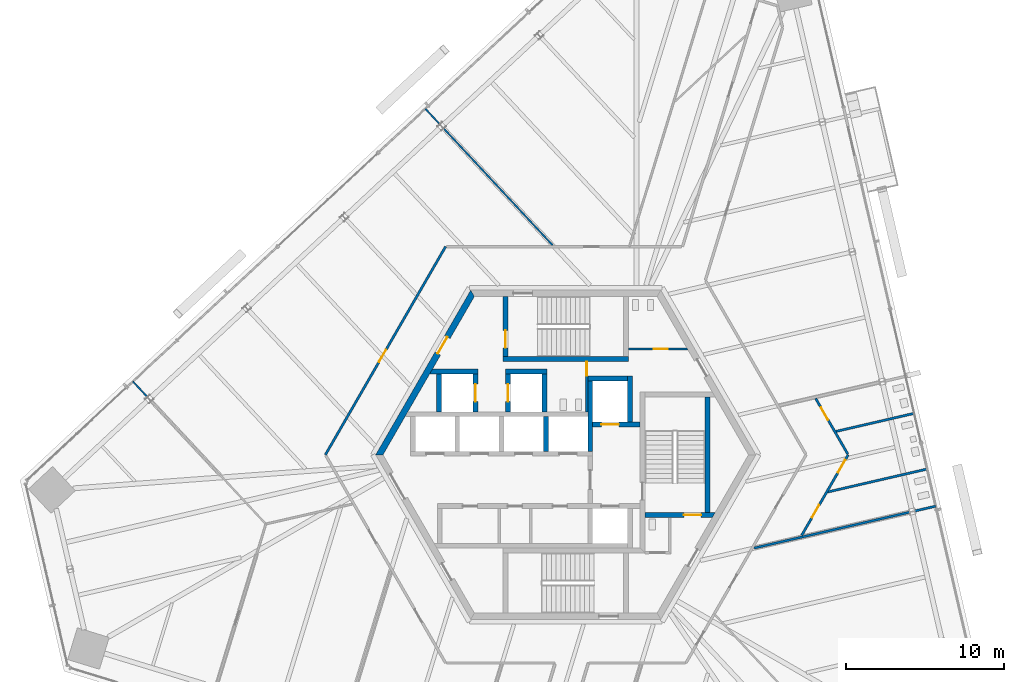
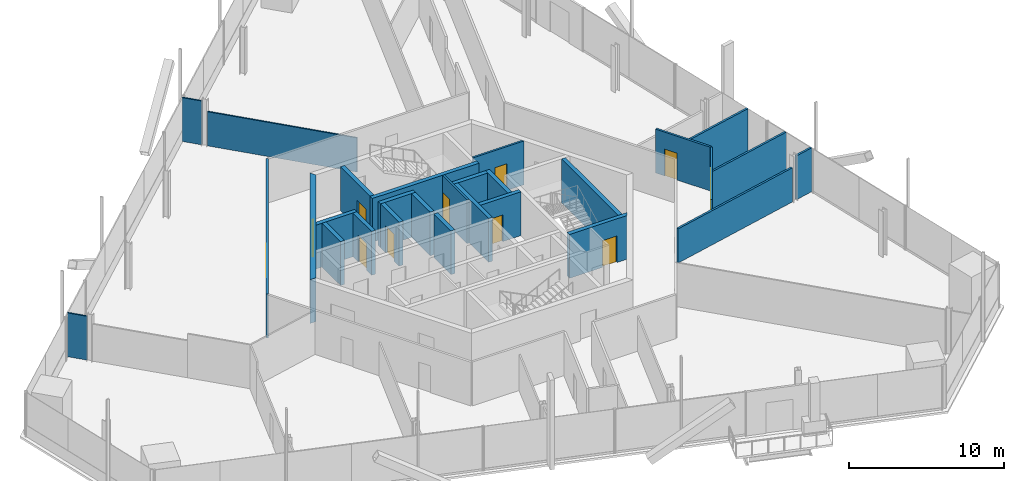
# One storey, part 13 of 21: 28 walls, 12 doors, 12 openings.
"""IFC4 building model written with IfcOpenShell, lengths in metres."""

from ifc_helpers import new_model, si_unit, direction, frame, frame_2d, origin, place, context, subcontext, project, spatial, polyline, rectangle, outline, extrude, source, transform, mapped, material, layer, layer_set, type_object, element, fill, save


model = new_model("IFC4")

# Units and contexts
model_context = context("Model", 3, precision=1e-05, world=origin(), true_north=direction((0.0, 1.0)))
body_context = subcontext(model_context, "Body", "Model", "MODEL_VIEW")
ifc_project = project(units=[si_unit("LENGTHUNIT", "METRE"), si_unit("AREAUNIT", "SQUARE_METRE"), si_unit("VOLUMEUNIT", "CUBIC_METRE"), si_unit("PLANEANGLEUNIT", "RADIAN"), si_unit("MASSUNIT", "GRAM", prefix="KILO")], contexts=[model_context])

# Site, building, storey
site_placement = place(None, origin())
site = spatial("IfcSite", under=ifc_project, at=site_placement, CompositionType="ELEMENT")
building_placement = place(site_placement, origin())
building = spatial("IfcBuilding", under=site, at=building_placement, Name="Triune Harvest Tower", CompositionType="ELEMENT")
storey_placement = place(building_placement, frame((0.0, 0.0, 119.89990234375)))
storey = spatial("IfcBuildingStorey", under=building, at=storey_placement, Name="L30", CompositionType="ELEMENT", Elevation=119.89990234375)

# Wall, opening, door
ifc_material_1 = material(Name="Gypsum board on steel studs", Category="steel")
ifc_layer_1 = layer(ifc_material_1, 0.14990234375)
ifc_layer_set_1 = layer_set([ifc_layer_1], Name="Gypsum board on steel studs")
wall_type_1 = type_object("IfcWallType", Name="Fire Partition 150 mm", PredefinedType="PARTITIONING", material=ifc_layer_set_1)
wall_1_placement = place(storey_placement, frame((15.77392578125, 3.563232421875, 0.0), z_axis=(0.0, 0.0, 1.0), x_axis=(0.499989360119, -0.866031546636, 0.0)))
wall_1 = element("IfcWall", 1, at=wall_1_placement, inside=storey, type_object=wall_type_1, Name="Partition L30 004", PredefinedType="PARTITIONING", context=body_context, shape_type="SweptSolid", body=[
    extrude(rectangle(XDim=4.064453125, YDim=0.14990234375, at=frame_2d((2.0322265625, 0.0))), origin(), (0.0, 0.0, 1.0), 3.440185546875),
])
opening_1_placement = place(wall_1_placement, frame((0.6796875, 0.0, 0.0)))
opening_1 = element("IfcOpeningElement", 2, at=opening_1_placement, cuts=wall_1, Name="Opening L30-005", PredefinedType="OPENING", context=body_context, shape_type="SweptSolid", body=[
    extrude(rectangle(XDim=0.89990234375, YDim=2.10009765625, at=frame_2d((0.449951171875, 1.050048828125))), frame((0.0, 0.0849609375, 0.0), z_axis=(0.0, -1.0, 0.0), x_axis=(1.0, 0.0, 0.0)), (0.0, 0.0, 1.0), 0.169921875),
])
ifc_material_2 = material(Name="Timber and steel door set", Category="steel")
door_type_1 = type_object("IfcDoorType", Name="Single leaf door FD30 left hand 900 x 2100", OperationType="SINGLE_SWING_LEFT", PredefinedType="DOOR", material=ifc_material_2)
door_1_placement = place(opening_1_placement, origin())
door_1 = element("IfcDoor", 3, at=door_1_placement, inside=storey, type_object=door_type_1, Name="Door L30-005 Accessible WC 30.05", OperationType="SINGLE_SWING_LEFT", OverallHeight=2.10009765625, OverallWidth=0.89990234375, PredefinedType="DOOR", context=body_context, shape_type="SweptSolid", body=[
    extrude(rectangle(XDim=0.89990234375, YDim=2.10009765625, at=frame_2d((0.449951171875, 1.050048828125))), frame((0.0, 0.02490234375, 0.0), z_axis=(0.0, -1.0, 0.0), x_axis=(1.0, 0.0, 0.0)), (0.0, 0.0, 1.0), 0.050048828125),
])
fill(opening_1, door_1)

# Walls
wall_2_placement = place(storey_placement, frame((22.048828125, -3.54541015625, 0.0), z_axis=(0.0, 0.0, 1.0), x_axis=(0.974363511026, 0.224979439906, 0.0)))
element("IfcWall", 4, at=wall_2_placement, inside=storey, type_object=wall_type_1, Name="Partition L30 017", PredefinedType="PARTITIONING", context=body_context, shape_type="SweptSolid", body=[
    extrude(rectangle(XDim=1.338134765625, YDim=0.14990234375, at=frame_2d((0.6689453125, 0.0))), origin(), (0.0, 0.0, 1.0), 3.440185546875),
])
wall_3_placement = place(storey_placement, frame((16.465576171875, -2.365234375, 0.0), z_axis=(0.0, 0.0, 1.0), x_axis=(0.974376029981, 0.224925214677, 0.0)))
element("IfcWall", 5, at=wall_3_placement, inside=storey, type_object=wall_type_1, Name="Partition L30 018", PredefinedType="PARTITIONING", context=body_context, shape_type="SweptSolid", body=[
    extrude(rectangle(XDim=6.5126953125, YDim=0.14990234375, at=frame_2d((3.25634765625, 0.0))), origin(), (0.0, 0.0, 1.0), 3.440185546875),
])
wall_4_placement = place(storey_placement, frame((16.98876953125, 1.458984375, 0.0), z_axis=(0.0, 0.0, 1.0), x_axis=(0.974363183616, 0.224980857881, 0.0)))
element("IfcWall", 6, at=wall_4_placement, inside=storey, type_object=wall_type_1, Name="Partition L30 019", PredefinedType="PARTITIONING", context=body_context, shape_type="SweptSolid", body=[
    extrude(rectangle(XDim=5.142578125, YDim=0.14990234375, at=frame_2d((2.5712890625, 0.0))), origin(), (0.0, 0.0, 1.0), 3.440185546875),
])

# Wall, openings, doors
wall_5_placement = place(storey_placement, frame((14.890869140625, -5.093017578125, 0.0), z_axis=(0.0, 0.0, 1.0), x_axis=(0.499996762963, 0.866027272681, 0.0)))
wall_5 = element("IfcWall", 7, at=wall_5_placement, inside=storey, type_object=wall_type_1, Name="Partition L30 024", PredefinedType="PARTITIONING", context=body_context, shape_type="SweptSolid", body=[
    extrude(rectangle(XDim=5.880859375, YDim=0.14990234375, at=frame_2d((2.9404296875, 0.0))), origin(), (0.0, 0.0, 1.0), 3.440185546875),
])
opening_2_placement = place(wall_5_placement, frame((1.31005859375, 0.0, 0.0)))
opening_2 = element("IfcOpeningElement", 8, at=opening_2_placement, cuts=wall_5, Name="Opening L30-003", PredefinedType="OPENING", context=body_context, shape_type="SweptSolid", body=[
    extrude(rectangle(XDim=0.89990234375, YDim=2.10009765625, at=frame_2d((0.449951171875, 1.050048828125))), frame((0.0, 0.0849609375, 0.0), z_axis=(0.0, -1.0, 0.0), x_axis=(1.0, 0.0, 0.0)), (0.0, 0.0, 1.0), 0.169921875),
])
opening_3_placement = place(wall_5_placement, frame((4.599609375, 0.0, 0.0)))
opening_3 = element("IfcOpeningElement", 9, at=opening_3_placement, cuts=wall_5, Name="Opening L30-004", PredefinedType="OPENING", context=body_context, shape_type="SweptSolid", body=[
    extrude(rectangle(XDim=0.89990234375, YDim=2.10009765625, at=frame_2d((0.449951171875, 1.050048828125))), frame((0.0, 0.0849609375, 0.0), z_axis=(0.0, -1.0, 0.0), x_axis=(1.0, 0.0, 0.0)), (0.0, 0.0, 1.0), 0.169921875),
])
door_2_placement = place(opening_3_placement, origin())
door_2 = element("IfcDoor", 10, at=door_2_placement, inside=storey, type_object=door_type_1, Name="Door L30-004 Men's WC 30.04", OperationType="SINGLE_SWING_LEFT", OverallHeight=2.10009765625, OverallWidth=0.89990234375, PredefinedType="DOOR", context=body_context, shape_type="SweptSolid", body=[
    extrude(rectangle(XDim=0.89990234375, YDim=2.10009765625, at=frame_2d((0.449951171875, 1.050048828125))), frame((0.0, 0.02490234375, 0.0), z_axis=(0.0, -1.0, 0.0), x_axis=(1.0, 0.0, 0.0)), (0.0, 0.0, 1.0), 0.050048828125),
])
fill(opening_3, door_2)
ifc_material_3 = material(Name="Timber and steel door set", Category="steel")
door_type_2 = type_object("IfcDoorType", Name="Single leaf door FD30 right hand 900 x 2100", OperationType="SINGLE_SWING_RIGHT", PredefinedType="DOOR", material=ifc_material_3)
door_3_placement = place(opening_2_placement, origin())
door_3 = element("IfcDoor", 11, at=door_3_placement, inside=storey, type_object=door_type_2, Name="Door L30-003 Women's WC 30.03", OperationType="SINGLE_SWING_RIGHT", OverallHeight=2.10009765625, OverallWidth=0.89990234375, PredefinedType="DOOR", context=body_context, shape_type="SweptSolid", body=[
    extrude(rectangle(XDim=0.89990234375, YDim=2.10009765625, at=frame_2d((0.449951171875, 1.050048828125))), frame((0.0, 0.02490234375, 0.0), z_axis=(0.0, -1.0, 0.0), x_axis=(1.0, 0.0, 0.0)), (0.0, 0.0, 1.0), 0.050048828125),
])
fill(opening_2, door_3)

# Wall, opening, door
ifc_material_4 = material(Name="Concrete 70 MPa", Category="concrete")
ifc_layer_2 = layer(ifc_material_4, 0.39990234375)
ifc_layer_set_2 = layer_set([ifc_layer_2], Name="Concrete 70 MPa")
wall_type_2 = type_object("IfcWallType", Name="Core wall 400", PredefinedType="SHEAR", material=ifc_layer_set_2)
shared_shape_1 = source(origin(), body_context, "Body", "SweptSolid", [
    extrude(outline(polyline([(-0.115478515625, -0.199951171875), (11.884521484375, -0.199951171875), (11.653564453125, 0.199951171875), (0.115478515625, 0.199951171875), (-0.115478515625, -0.199951171875)])), origin(), (0.0, 0.0, 1.0), 3.440185546875),
])
wall_6_placement = place(storey_placement, frame((-5.884521484375, 10.1923828125, 0.0), z_axis=(0.0, 0.0, 1.0), x_axis=(-0.499996592174, -0.866027371285, 0.0)))
wall_6 = element("IfcWall", 12, at=wall_6_placement, inside=storey, type_object=wall_type_2, Name="Hexagon 2 wall", PredefinedType="SHEAR", context=body_context, shape_type="MappedRepresentation", body=[
    mapped(shared_shape_1, transform((0.0, 0.0, 0.0), scale=1.0)),
])
opening_4_placement = place(wall_6_placement, frame((3.1845703125, 0.0, 0.0)))
opening_4 = element("IfcOpeningElement", 13, at=opening_4_placement, cuts=wall_6, Name="Opening CD-SVP", PredefinedType="OPENING", context=body_context, shape_type="SweptSolid", body=[
    extrude(rectangle(XDim=1.199951171875, YDim=2.10009765625, at=frame_2d((0.60009765625, 1.050048828125))), frame((0.0, 0.2099609375, 0.0), z_axis=(0.0, -1.0, 0.0), x_axis=(1.0, 0.0, 0.0)), (0.0, 0.0, 1.0), 0.419921875),
])
ifc_material_5 = material(Name="Steel S235", Category="steel")
door_type_3 = type_object("IfcDoorType", Name="Service door 1200 FD120", OperationType="SINGLE_SWING_LEFT", PredefinedType="DOOR", material=ifc_material_5)
door_4_placement = place(opening_4_placement, frame((1.199951171875, 0.0, 0.0), z_axis=(0.0, 0.0, 1.0), x_axis=(-1.0, 0.0, 0.0)))
door_4 = element("IfcDoor", 14, at=door_4_placement, inside=storey, type_object=door_type_3, Name="Door CD-SVP", OperationType="SINGLE_SWING_RIGHT", OverallHeight=2.10009765625, OverallWidth=1.199951171875, PredefinedType="DOOR", context=body_context, shape_type="SweptSolid", body=[
    extrude(rectangle(XDim=1.199951171875, YDim=2.10009765625, at=frame_2d((0.60009765625, 1.050048828125))), frame((0.0, 0.02490234375, 0.0), z_axis=(0.0, -1.0, 0.0), x_axis=(1.0, 0.0, 0.0)), (0.0, 0.0, 1.0), 0.050048828125),
])
fill(opening_4, door_4)

# Walls
ifc_material_6 = material(Name="Concrete 70 MPa", Category="concrete")
ifc_layer_3 = layer(ifc_material_6, 0.300048828125)
ifc_layer_set_3 = layer_set([ifc_layer_3], Name="Concrete 70 MPa")
wall_type_3 = type_object("IfcWallType", Name="Core wall 300", PredefinedType="SHEAR", material=ifc_layer_set_3)
shared_shape_2 = source(origin(), body_context, "Body", "SweptSolid", [
    extrude(rectangle(XDim=2.5, YDim=0.300048828125, at=frame_2d((1.25, 0.0))), origin(), (0.0, 0.0, 1.0), 3.440185546875),
])
wall_7_placement = place(storey_placement, frame((1.39990234375, 4.81005859375, 0.0), z_axis=(0.0, 0.0, 1.0), x_axis=(1.0, 0.0, 0.0)))
element("IfcWall", 15, at=wall_7_placement, inside=storey, type_object=wall_type_3, Name="Ff1 back wall", PredefinedType="SHEAR", context=body_context, shape_type="MappedRepresentation", body=[
    mapped(shared_shape_2, transform((0.0, 0.0, 0.0), scale=1.0)),
])
shared_shape_3 = source(origin(), body_context, "Body", "SweptSolid", [
    extrude(rectangle(XDim=4.449951171875, YDim=0.300048828125, at=frame_2d((2.22509765625, 0.0))), origin(), (0.0, 0.0, 1.0), 3.440185546875),
])
wall_8_placement = place(storey_placement, frame((1.550048828125, 0.2099609375, 0.0), z_axis=(0.0, 0.0, 1.0), x_axis=(0.0, 1.0, 0.0)))
element("IfcWall", 16, at=wall_8_placement, inside=storey, type_object=wall_type_3, Name="Ff1 west wall", PredefinedType="SHEAR", context=body_context, shape_type="MappedRepresentation", body=[
    mapped(shared_shape_3, transform((0.0, 0.0, 0.0), scale=1.0)),
])

# Wall, opening, door
shared_shape_4 = source(origin(), body_context, "Body", "SweptSolid", [
    extrude(rectangle(XDim=3.0, YDim=0.300048828125, at=frame_2d((1.5, 0.0))), origin(), (0.0, 0.0, 1.0), 3.440185546875),
])
wall_9_placement = place(storey_placement, frame((1.699951171875, 1.909912109375, 0.0), z_axis=(0.0, 0.0, 1.0), x_axis=(1.0, 0.0, 0.0)))
wall_9 = element("IfcWall", 17, at=wall_9_placement, inside=storey, type_object=wall_type_3, Name="Ff1 front wall", PredefinedType="SHEAR", context=body_context, shape_type="MappedRepresentation", body=[
    mapped(shared_shape_4, transform((0.0, 0.0, 0.0), scale=1.0)),
])
opening_5_placement = place(wall_9_placement, frame((0.550048828125, 0.0, 0.0)))
opening_5 = element("IfcOpeningElement", 18, at=opening_5_placement, cuts=wall_9, Name="Opening LD-FF1-30", PredefinedType="OPENING", context=body_context, shape_type="SweptSolid", body=[
    extrude(rectangle(XDim=1.10009765625, YDim=2.10009765625, at=frame_2d((0.550048828125, 1.050048828125))), frame((0.0, 0.16015625, 0.0), z_axis=(0.0, -1.0, 0.0), x_axis=(1.0, 0.0, 0.0)), (0.0, 0.0, 1.0), 0.320068359375),
])
ifc_material_7 = material(Name="Stainless steel AISI 304", Category="steel")
door_type_4 = type_object("IfcDoorType", Name="Landing door 1100 x 2100", OperationType="DOUBLE_DOOR_SLIDING", PredefinedType="DOOR", material=ifc_material_7)
door_5_placement = place(opening_5_placement, origin())
door_5 = element("IfcDoor", 19, at=door_5_placement, inside=storey, type_object=door_type_4, Name="Door LD-FF1-30", OperationType="DOUBLE_DOOR_SLIDING", OverallHeight=2.10009765625, OverallWidth=1.10009765625, PredefinedType="DOOR", context=body_context, shape_type="SweptSolid", body=[
    extrude(rectangle(XDim=1.10009765625, YDim=2.10009765625, at=frame_2d((0.550048828125, 1.050048828125))), frame((0.0, 0.02490234375, 0.0), z_axis=(0.0, -1.0, 0.0), x_axis=(1.0, 0.0, 0.0)), (0.0, 0.0, 1.0), 0.050048828125),
])
fill(opening_5, door_5)

# Walls
shared_shape_5 = source(origin(), body_context, "Body", "SweptSolid", [
    extrude(rectangle(XDim=2.89990234375, YDim=0.300048828125, at=frame_2d((1.449951171875, 0.0))), origin(), (0.0, 0.0, 1.0), 3.440185546875),
])
wall_10_placement = place(storey_placement, frame((4.050048828125, 2.06005859375, 0.0), z_axis=(0.0, 0.0, 1.0), x_axis=(0.0, 1.0, 0.0)))
element("IfcWall", 20, at=wall_10_placement, inside=storey, type_object=wall_type_3, Name="Ff1 east wall", PredefinedType="SHEAR", context=body_context, shape_type="MappedRepresentation", body=[
    mapped(shared_shape_5, transform((0.0, 0.0, 0.0), scale=1.0)),
])
shared_shape_6 = source(origin(), body_context, "Body", "SweptSolid", [
    extrude(rectangle(XDim=2.199951171875, YDim=0.300048828125, at=frame_2d((1.10009765625, 0.0))), origin(), (0.0, 0.0, 1.0), 3.440185546875),
])
wall_11_placement = place(storey_placement, frame((-1.25, 0.2099609375, 0.0), z_axis=(0.0, 0.0, 1.0), x_axis=(0.0, 1.0, 0.0)))
element("IfcWall", 21, at=wall_11_placement, inside=storey, type_object=wall_type_3, Name="North cross 3 wall", PredefinedType="SHEAR", context=body_context, shape_type="MappedRepresentation", body=[
    mapped(shared_shape_6, transform((0.0, 0.0, 0.0), scale=1.0)),
])

# Wall, opening, door
shared_shape_7 = source(origin(), body_context, "Body", "SweptSolid", [
    extrude(outline(polyline([(0.0, -0.14990234375), (0.0, 0.14990234375), (4.43310546875, 0.14990234375), (4.260009765625, -0.14990234375), (0.0, -0.14990234375)])), origin(), (0.0, 0.0, 1.0), 3.440185546875),
])
wall_12_placement = place(storey_placement, frame((5.0, -3.800048828125, 0.0), z_axis=(0.0, 0.0, 1.0), x_axis=(1.0, 0.0, 0.0)))
wall_12 = element("IfcWall", 22, at=wall_12_placement, inside=storey, type_object=wall_type_3, Name="Stair e south wall", PredefinedType="SHEAR", context=body_context, shape_type="MappedRepresentation", body=[
    mapped(shared_shape_7, transform((0.0, 0.0, 0.0), scale=1.0)),
])
opening_6_placement = place(wall_12_placement, frame((2.449951171875, 0.0, 0.0)))
opening_6 = element("IfcOpeningElement", 23, at=opening_6_placement, cuts=wall_12, Name="Opening CD-S3D", PredefinedType="OPENING", context=body_context, shape_type="SweptSolid", body=[
    extrude(rectangle(XDim=1.10009765625, YDim=2.10009765625, at=frame_2d((0.550048828125, 1.050048828125))), frame((0.0, 0.16015625, 0.0), z_axis=(0.0, -1.0, 0.0), x_axis=(1.0, 0.0, 0.0)), (0.0, 0.0, 1.0), 0.320068359375),
])
ifc_material_8 = material(Name="Steel S235", Category="steel")
door_type_5 = type_object("IfcDoorType", Name="Stair door 1100 FD120", OperationType="SINGLE_SWING_LEFT", PredefinedType="DOOR", material=ifc_material_8)
door_6_placement = place(opening_6_placement, frame((1.10009765625, 0.0, 0.0), z_axis=(0.0, 0.0, 1.0), x_axis=(-1.0, 0.0, 0.0)))
door_6 = element("IfcDoor", 24, at=door_6_placement, inside=storey, type_object=door_type_5, Name="Door CD-S3D", OperationType="SINGLE_SWING_RIGHT", OverallHeight=2.10009765625, OverallWidth=1.10009765625, PredefinedType="DOOR", context=body_context, shape_type="SweptSolid", body=[
    extrude(rectangle(XDim=1.10009765625, YDim=2.10009765625, at=frame_2d((0.550048828125, 1.050048828125))), frame((0.0, 0.02490234375, 0.0), z_axis=(0.0, -1.0, 0.0), x_axis=(1.0, 0.0, 0.0)), (0.0, 0.0, 1.0), 0.050048828125),
])
fill(opening_6, door_6)

# Walls
shared_shape_8 = source(origin(), body_context, "Body", "SweptSolid", [
    extrude(rectangle(XDim=7.2998046875, YDim=0.300048828125, at=frame_2d((3.64990234375, 0.0))), origin(), (0.0, 0.0, 1.0), 3.440185546875),
])
wall_13_placement = place(storey_placement, frame((8.949951171875, -3.64990234375, 0.0), z_axis=(0.0, 0.0, 1.0), x_axis=(0.0, 1.0, 0.0)))
element("IfcWall", 25, at=wall_13_placement, inside=storey, type_object=wall_type_3, Name="Stair e east wall", PredefinedType="SHEAR", context=body_context, shape_type="MappedRepresentation", body=[
    mapped(shared_shape_8, transform((0.0, 0.0, 0.0), scale=1.0)),
])
shared_shape_9 = source(origin(), body_context, "Body", "SweptSolid", [
    extrude(rectangle(XDim=7.89990234375, YDim=0.300048828125, at=frame_2d((3.949951171875, 0.0))), origin(), (0.0, 0.0, 1.0), 3.440185546875),
])
wall_14_placement = place(storey_placement, frame((-3.949951171875, 6.0400390625, 0.0), z_axis=(0.0, 0.0, 1.0), x_axis=(1.0, 0.0, 0.0)))
element("IfcWall", 26, at=wall_14_placement, inside=storey, type_object=wall_type_3, Name="Stair n south wall", PredefinedType="SHEAR", context=body_context, shape_type="MappedRepresentation", body=[
    mapped(shared_shape_9, transform((0.0, 0.0, 0.0), scale=1.0)),
])

# Wall, opening, door
shared_shape_10 = source(origin(), body_context, "Body", "SweptSolid", [
    extrude(outline(polyline([(0.0, -0.14990234375), (0.0, 0.14990234375), (3.80419921875, 0.14990234375), (3.80419921875, -0.14990234375), (0.0, -0.14990234375)])), origin(), (0.0, 0.0, 1.0), 3.440185546875),
])
wall_15_placement = place(storey_placement, frame((-3.800048828125, 6.18994140625, 0.0), z_axis=(0.0, 0.0, 1.0), x_axis=(0.0, 1.0, 0.0)))
wall_15 = element("IfcWall", 27, at=wall_15_placement, inside=storey, type_object=wall_type_3, Name="Stair n west wall", PredefinedType="SHEAR", context=body_context, shape_type="MappedRepresentation", body=[
    mapped(shared_shape_10, transform((0.0, 0.0, 0.0), scale=1.0)),
])
opening_7_placement = place(wall_15_placement, frame((0.56005859375, 0.0, 0.0)))
opening_7 = element("IfcOpeningElement", 28, at=opening_7_placement, cuts=wall_15, Name="Opening CD-S1L", PredefinedType="OPENING", context=body_context, shape_type="SweptSolid", body=[
    extrude(rectangle(XDim=1.10009765625, YDim=2.10009765625, at=frame_2d((0.550048828125, 1.050048828125))), frame((0.0, 0.16015625, 0.0), z_axis=(0.0, -1.0, 0.0), x_axis=(1.0, 0.0, 0.0)), (0.0, 0.0, 1.0), 0.320068359375),
])
door_7_placement = place(opening_7_placement, frame((1.10009765625, 0.0, 0.0), z_axis=(0.0, 0.0, 1.0), x_axis=(-1.0, 0.0, 0.0)))
door_7 = element("IfcDoor", 29, at=door_7_placement, inside=storey, type_object=door_type_5, Name="Door CD-S1L", OperationType="SINGLE_SWING_RIGHT", OverallHeight=2.10009765625, OverallWidth=1.10009765625, PredefinedType="DOOR", context=body_context, shape_type="SweptSolid", body=[
    extrude(rectangle(XDim=1.10009765625, YDim=2.10009765625, at=frame_2d((0.550048828125, 1.050048828125))), frame((0.0, 0.02490234375, 0.0), z_axis=(0.0, -1.0, 0.0), x_axis=(1.0, 0.0, 0.0)), (0.0, 0.0, 1.0), 0.050048828125),
])
fill(opening_7, door_7)

# Walls
shared_shape_11 = source(origin(), body_context, "Body", "SweptSolid", [
    extrude(outline(polyline([(2.60009765625, -0.14990234375), (-0.440185546875, -0.14990234375), (-0.26708984375, 0.14990234375), (2.60009765625, 0.14990234375), (2.60009765625, -0.14990234375)])), origin(), (0.0, 0.0, 1.0), 3.440185546875),
])
wall_16_placement = place(storey_placement, frame((-8.14990234375, 5.260009765625, 0.0), z_axis=(0.0, 0.0, 1.0), x_axis=(1.0, 0.0, 0.0)))
element("IfcWall", 30, at=wall_16_placement, inside=storey, type_object=wall_type_3, Name="Sv1 north wall", PredefinedType="SHEAR", context=body_context, shape_type="MappedRepresentation", body=[
    mapped(shared_shape_11, transform((0.0, 0.0, 0.0), scale=1.0)),
])
shared_shape_12 = source(origin(), body_context, "Body", "SweptSolid", [
    extrude(rectangle(XDim=2.400146484375, YDim=0.300048828125, at=frame_2d((1.2001953125, 0.0))), origin(), (0.0, 0.0, 1.0), 3.440185546875),
])
wall_17_placement = place(storey_placement, frame((-8.0, 2.7099609375, 0.0), z_axis=(0.0, 0.0, 1.0), x_axis=(0.0, 1.0, 0.0)))
element("IfcWall", 31, at=wall_17_placement, inside=storey, type_object=wall_type_3, Name="Sv1 west wall", PredefinedType="SHEAR", context=body_context, shape_type="MappedRepresentation", body=[
    mapped(shared_shape_12, transform((0.0, 0.0, 0.0), scale=1.0)),
])

# Wall, opening, door
wall_18_placement = place(storey_placement, frame((-5.699951171875, 2.7099609375, 0.0), z_axis=(0.0, 0.0, 1.0), x_axis=(0.0, 1.0, 0.0)))
wall_18 = element("IfcWall", 32, at=wall_18_placement, inside=storey, type_object=wall_type_3, Name="Sv1 east wall", PredefinedType="SHEAR", context=body_context, shape_type="MappedRepresentation", body=[
    mapped(shared_shape_12, transform((0.0, 0.0, 0.0), scale=1.0)),
])
opening_8_placement = place(wall_18_placement, frame((0.64990234375, 0.0, 0.0)))
opening_8 = element("IfcOpeningElement", 33, at=opening_8_placement, cuts=wall_18, Name="Opening LD-SV1-30", PredefinedType="OPENING", context=body_context, shape_type="SweptSolid", body=[
    extrude(rectangle(XDim=1.10009765625, YDim=2.10009765625, at=frame_2d((0.550048828125, 1.050048828125))), frame((0.0, 0.16015625, 0.0), z_axis=(0.0, -1.0, 0.0), x_axis=(1.0, 0.0, 0.0)), (0.0, 0.0, 1.0), 0.320068359375),
])
door_8_placement = place(opening_8_placement, origin())
door_8 = element("IfcDoor", 34, at=door_8_placement, inside=storey, type_object=door_type_4, Name="Door LD-SV1-30", OperationType="DOUBLE_DOOR_SLIDING", OverallHeight=2.10009765625, OverallWidth=1.10009765625, PredefinedType="DOOR", context=body_context, shape_type="SweptSolid", body=[
    extrude(rectangle(XDim=1.10009765625, YDim=2.10009765625, at=frame_2d((0.550048828125, 1.050048828125))), frame((0.0, 0.02490234375, 0.0), z_axis=(0.0, -1.0, 0.0), x_axis=(1.0, 0.0, 0.0)), (0.0, 0.0, 1.0), 0.050048828125),
])
fill(opening_8, door_8)

wall_19_placement = place(storey_placement, frame((-3.64990234375, 2.7099609375, 0.0), z_axis=(0.0, 0.0, 1.0), x_axis=(0.0, 1.0, 0.0)))
wall_19 = element("IfcWall", 35, at=wall_19_placement, inside=storey, type_object=wall_type_3, Name="Sv2 west wall", PredefinedType="SHEAR", context=body_context, shape_type="MappedRepresentation", body=[
    mapped(shared_shape_12, transform((0.0, 0.0, 0.0), scale=1.0)),
])
opening_9_placement = place(wall_19_placement, frame((0.64990234375, 0.0, 0.0)))
opening_9 = element("IfcOpeningElement", 36, at=opening_9_placement, cuts=wall_19, Name="Opening LD-SV2-30", PredefinedType="OPENING", context=body_context, shape_type="SweptSolid", body=[
    extrude(rectangle(XDim=1.10009765625, YDim=2.10009765625, at=frame_2d((0.550048828125, 1.050048828125))), frame((0.0, 0.16015625, 0.0), z_axis=(0.0, -1.0, 0.0), x_axis=(1.0, 0.0, 0.0)), (0.0, 0.0, 1.0), 0.320068359375),
])
door_9_placement = place(opening_9_placement, origin())
door_9 = element("IfcDoor", 37, at=door_9_placement, inside=storey, type_object=door_type_4, Name="Door LD-SV2-30", OperationType="DOUBLE_DOOR_SLIDING", OverallHeight=2.10009765625, OverallWidth=1.10009765625, PredefinedType="DOOR", context=body_context, shape_type="SweptSolid", body=[
    extrude(rectangle(XDim=1.10009765625, YDim=2.10009765625, at=frame_2d((0.550048828125, 1.050048828125))), frame((0.0, 0.02490234375, 0.0), z_axis=(0.0, -1.0, 0.0), x_axis=(1.0, 0.0, 0.0)), (0.0, 0.0, 1.0), 0.050048828125),
])
fill(opening_9, door_9)

# Walls
wall_20_placement = place(storey_placement, frame((-1.35009765625, 2.7099609375, 0.0), z_axis=(0.0, 0.0, 1.0), x_axis=(0.0, 1.0, 0.0)))
element("IfcWall", 38, at=wall_20_placement, inside=storey, type_object=wall_type_3, Name="Sv2 east wall", PredefinedType="SHEAR", context=body_context, shape_type="MappedRepresentation", body=[
    mapped(shared_shape_12, transform((0.0, 0.0, 0.0), scale=1.0)),
])
shared_shape_13 = source(origin(), body_context, "Body", "SweptSolid", [
    extrude(rectangle(XDim=2.60009765625, YDim=0.300048828125, at=frame_2d((1.300048828125, 0.0))), origin(), (0.0, 0.0, 1.0), 3.440185546875),
])
wall_21_placement = place(storey_placement, frame((-3.800048828125, 5.260009765625, 0.0), z_axis=(0.0, 0.0, 1.0), x_axis=(1.0, 0.0, 0.0)))
element("IfcWall", 39, at=wall_21_placement, inside=storey, type_object=wall_type_3, Name="Sv2 north wall", PredefinedType="SHEAR", context=body_context, shape_type="MappedRepresentation", body=[
    mapped(shared_shape_13, transform((0.0, 0.0, 0.0), scale=1.0)),
])

# Wall, opening, door
ifc_material_9 = material(Name="Concrete masonry unit", Category="masonry")
ifc_layer_4 = layer(ifc_material_9, 0.14990234375)
ifc_layer_set_4 = layer_set([ifc_layer_4], Name="Concrete masonry unit")
wall_type_4 = type_object("IfcWallType", Name="Block partition 150 unrated", PredefinedType="PARTITIONING", material=ifc_layer_set_4)
shared_shape_14 = source(origin(), body_context, "Body", "SweptSolid", [
    extrude(rectangle(XDim=3.179931640625, YDim=0.14990234375, at=frame_2d((1.58984375, 0.0))), origin(), (0.0, 0.0, 1.0), 3.440185546875),
])
wall_22_placement = place(storey_placement, frame((1.324951171875, 2.7099609375, 0.0), z_axis=(0.0, 0.0, 1.0), x_axis=(0.0, 1.0, 0.0)))
wall_22 = element("IfcWall", 40, at=wall_22_placement, inside=storey, type_object=wall_type_4, Name="Wc men east wall", PredefinedType="PARTITIONING", context=body_context, shape_type="MappedRepresentation", body=[
    mapped(shared_shape_14, transform((0.0, 0.0, 0.0), scale=1.0)),
])
opening_10_placement = place(wall_22_placement, frame((2.264892578125, 0.0, 0.0)))
opening_10 = element("IfcOpeningElement", 41, at=opening_10_placement, cuts=wall_22, Name="Opening CD-WM", PredefinedType="OPENING", context=body_context, shape_type="SweptSolid", body=[
    extrude(rectangle(XDim=0.89990234375, YDim=2.10009765625, at=frame_2d((0.449951171875, 1.050048828125))), frame((0.0, 0.0849609375, 0.0), z_axis=(0.0, -1.0, 0.0), x_axis=(1.0, 0.0, 0.0)), (0.0, 0.0, 1.0), 0.169921875),
])
ifc_material_10 = material(Name="Timber C24", Category="wood")
door_type_6 = type_object("IfcDoorType", Name="WC door 900", OperationType="SINGLE_SWING_LEFT", PredefinedType="DOOR", material=ifc_material_10)
door_10_placement = place(opening_10_placement, origin())
door_10 = element("IfcDoor", 42, at=door_10_placement, inside=storey, type_object=door_type_6, Name="Door CD-WM", OperationType="SINGLE_SWING_LEFT", OverallHeight=2.10009765625, OverallWidth=0.89990234375, PredefinedType="DOOR", context=body_context, shape_type="SweptSolid", body=[
    extrude(rectangle(XDim=0.89990234375, YDim=2.10009765625, at=frame_2d((0.449951171875, 1.050048828125))), frame((0.0, 0.02490234375, 0.0), z_axis=(0.0, -1.0, 0.0), x_axis=(1.0, 0.0, 0.0)), (0.0, 0.0, 1.0), 0.050048828125),
])
fill(opening_10, door_10)

shared_shape_15 = source(origin(), body_context, "Body", "SweptSolid", [
    extrude(outline(polyline([(0.0, -0.074951171875), (0.0, 0.074951171875), (3.693359375, 0.074951171875), (3.77978515625, -0.074951171875), (0.0, -0.074951171875)])), origin(), (0.0, 0.0, 1.0), 3.440185546875),
])
wall_23_placement = place(storey_placement, frame((3.949951171875, 6.675048828125, 0.0), z_axis=(0.0, 0.0, 1.0), x_axis=(1.0, 0.0, 0.0)))
wall_23 = element("IfcWall", 43, at=wall_23_placement, inside=storey, type_object=wall_type_4, Name="Wc women south wall", PredefinedType="PARTITIONING", context=body_context, shape_type="MappedRepresentation", body=[
    mapped(shared_shape_15, transform((0.0, 0.0, 0.0), scale=1.0)),
])
opening_11_placement = place(wall_23_placement, frame((1.60009765625, 0.0, 0.0)))
opening_11 = element("IfcOpeningElement", 44, at=opening_11_placement, cuts=wall_23, Name="Opening CD-WW", PredefinedType="OPENING", context=body_context, shape_type="SweptSolid", body=[
    extrude(rectangle(XDim=0.89990234375, YDim=2.10009765625, at=frame_2d((0.449951171875, 1.050048828125))), frame((0.0, 0.0849609375, 0.0), z_axis=(0.0, -1.0, 0.0), x_axis=(1.0, 0.0, 0.0)), (0.0, 0.0, 1.0), 0.169921875),
])
door_11_placement = place(opening_11_placement, origin())
door_11 = element("IfcDoor", 45, at=door_11_placement, inside=storey, type_object=door_type_6, Name="Door CD-WW", OperationType="SINGLE_SWING_LEFT", OverallHeight=2.10009765625, OverallWidth=0.89990234375, PredefinedType="DOOR", context=body_context, shape_type="SweptSolid", body=[
    extrude(rectangle(XDim=0.89990234375, YDim=2.10009765625, at=frame_2d((0.449951171875, 1.050048828125))), frame((0.0, 0.02490234375, 0.0), z_axis=(0.0, -1.0, 0.0), x_axis=(1.0, 0.0, 0.0)), (0.0, 0.0, 1.0), 0.050048828125),
])
fill(opening_11, door_11)

# Walls
ifc_material_11 = material(Name="Gypsum board on steel studs", Category="steel")
ifc_layer_5 = layer(ifc_material_11, 0.10009765625)
ifc_layer_set_5 = layer_set([ifc_layer_5], Name="Gypsum board on steel studs")
wall_type_5 = type_object("IfcWallType", Name="Partition 100 mm", PredefinedType="PARTITIONING", material=ifc_layer_set_5)
shared_shape_16 = source(origin(), body_context, "Body", "SweptSolid", [
    extrude(rectangle(XDim=1.338134765625, YDim=0.10009765625, at=frame_2d((0.6689453125, 0.0))), origin(), (0.0, 0.0, 1.0), 3.440185546875),
])
for number, where, z_axis, x_axis, name in (
    (46, (-27.328369140625, 4.630126953125, 0.0), (0.0, 0.0, 1.0), (0.68204515899, -0.731310058114, 0.0), "Partition L30 005"),
    (47, (-8.866455078125, 21.84619140625, 0.0), (0.0, 0.0, 1.0), (0.681954155979, -0.731394920096, 0.0), "Partition L30 009"),
):
    element("IfcWall", number, at=place(storey_placement, frame(where, z_axis=z_axis, x_axis=x_axis)), inside=storey, type_object=wall_type_5, Name=name, PredefinedType="PARTITIONING", context=body_context, shape_type="MappedRepresentation", body=[
        mapped(shared_shape_16, transform((0.0, 0.0, 0.0), scale=1.0)),
    ])
shared_shape_17 = source(origin(), body_context, "Body", "SweptSolid", [
    extrude(rectangle(XDim=10.08203125, YDim=0.10009765625, at=frame_2d((5.041015625, 0.0))), origin(), (0.0, 0.0, 1.0), 2.68310546875),
])
wall_24_placement = place(storey_placement, frame((-7.707763671875, 20.603515625, 0.0), z_axis=(0.0, 0.0, 1.0), x_axis=(0.682000683285, -0.731351535172, 0.0)))
element("IfcWall", 48, at=wall_24_placement, inside=storey, type_object=wall_type_5, Name="Partition L30 010", PredefinedType="PARTITIONING", context=body_context, shape_type="MappedRepresentation", body=[
    mapped(shared_shape_17, transform((0.0, 0.0, 0.0), scale=1.0)),
])
shared_shape_18 = source(origin(), body_context, "Body", "SweptSolid", [
    extrude(rectangle(XDim=10.061767578125, YDim=0.14990234375, at=frame_2d((5.03076171875, 0.0))), origin(), (0.0, 0.0, 1.0), 2.68310546875),
])
wall_25_placement = place(storey_placement, frame((11.89306640625, -5.889892578125, 0.0), z_axis=(0.0, 0.0, 1.0), x_axis=(0.97437524434, 0.22492861805, 0.0)))
element("IfcWall", 49, at=wall_25_placement, inside=storey, type_object=wall_type_1, Name="Partition L30 016", PredefinedType="PARTITIONING", context=body_context, shape_type="MappedRepresentation", body=[
    mapped(shared_shape_18, transform((0.0, 0.0, 0.0), scale=1.0)),
])

# Wall, opening, door
shared_shape_19 = source(origin(), body_context, "Body", "SweptSolid", [
    extrude(rectangle(XDim=15.175537109375, YDim=0.14990234375, at=frame_2d((7.587890625, 0.0))), origin(), (0.0, 0.0, 1.0), 3.440185546875),
])
wall_26_placement = place(storey_placement, frame((-15.17529296875, 0.0, 0.0), z_axis=(0.0, 0.0, 1.0), x_axis=(0.499995869336, 0.866027788611, 0.0)))
wall_26 = element("IfcWall", 50, at=wall_26_placement, inside=storey, type_object=wall_type_1, Name="Partition L30 026", PredefinedType="PARTITIONING", context=body_context, shape_type="MappedRepresentation", body=[
    mapped(shared_shape_19, transform((0.0, 0.0, 0.0), scale=1.0)),
])
opening_12_placement = place(wall_26_placement, frame((6.755615234375, 0.0, 0.0)))
opening_12 = element("IfcOpeningElement", 51, at=opening_12_placement, cuts=wall_26, Name="Opening L30-010", PredefinedType="OPENING", context=body_context, shape_type="SweptSolid", body=[
    extrude(rectangle(XDim=0.89990234375, YDim=2.10009765625, at=frame_2d((0.449951171875, 1.050048828125))), frame((0.0, 0.0849609375, 0.0), z_axis=(0.0, -1.0, 0.0), x_axis=(1.0, 0.0, 0.0)), (0.0, 0.0, 1.0), 0.169921875),
])
door_12_placement = place(opening_12_placement, origin())
door_12 = element("IfcDoor", 52, at=door_12_placement, inside=storey, type_object=door_type_1, Name="Door L30-010 Open Office 30.10", OperationType="SINGLE_SWING_LEFT", OverallHeight=2.10009765625, OverallWidth=0.89990234375, PredefinedType="DOOR", context=body_context, shape_type="SweptSolid", body=[
    extrude(rectangle(XDim=0.89990234375, YDim=2.10009765625, at=frame_2d((0.449951171875, 1.050048828125))), frame((0.0, 0.02490234375, 0.0), z_axis=(0.0, -1.0, 0.0), x_axis=(1.0, 0.0, 0.0)), (0.0, 0.0, 1.0), 0.050048828125),
])
fill(opening_12, door_12)

save(model, "model.ifc")
